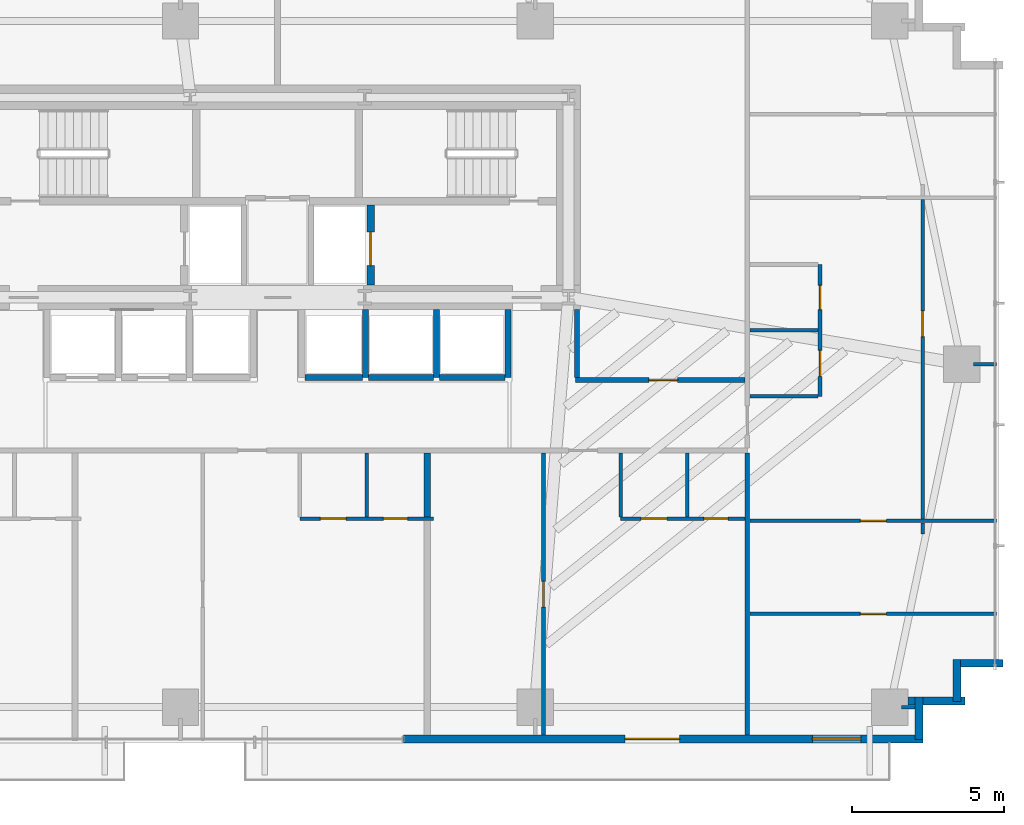
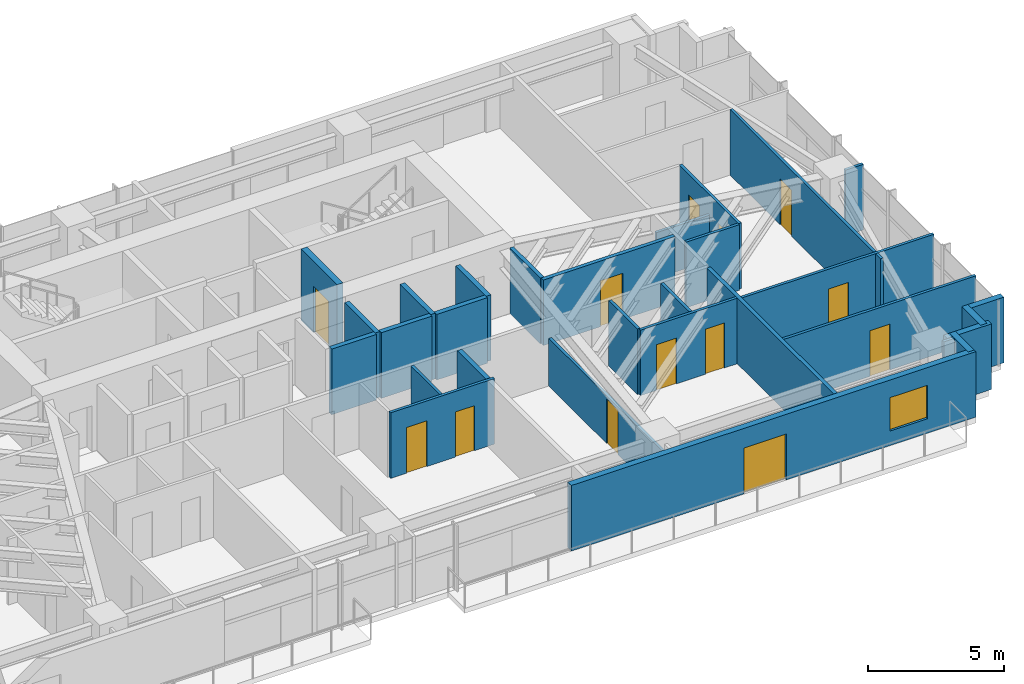
# One storey, part 21 of 25: 31 walls, 13 doors, 1 window, 14 openings.
"""IFC4 building model written with IfcOpenShell, lengths in metres."""

from ifc_helpers import new_model, si_unit, direction, frame, frame_2d, origin, place, context, subcontext, project, spatial, rectangle, extrude, source, transform, mapped, material, layer, layer_set, type_object, type_shapes, element, fill, save


model = new_model("IFC4")

# Units and contexts
model_context = context("Model", 3, precision=1e-05, world=origin(), true_north=direction((0.0, 1.0)))
body_context = subcontext(model_context, "Body", "Model", "MODEL_VIEW")
ifc_project = project(units=[si_unit("LENGTHUNIT", "METRE"), si_unit("AREAUNIT", "SQUARE_METRE"), si_unit("VOLUMEUNIT", "CUBIC_METRE"), si_unit("PLANEANGLEUNIT", "RADIAN"), si_unit("MASSUNIT", "GRAM", prefix="KILO")], contexts=[model_context])

# Site, building, storey
site_placement = place(None, origin())
site = spatial("IfcSite", under=ifc_project, at=site_placement, CompositionType="ELEMENT")
building_placement = place(site_placement, origin())
building = spatial("IfcBuilding", under=site, at=building_placement, Name="Astriad Promenade Condominiums", CompositionType="ELEMENT")
storey_placement = place(building_placement, frame((0.0, 0.0, 51.800048828125)))
storey = spatial("IfcBuildingStorey", under=building, at=storey_placement, Name="L14", CompositionType="ELEMENT", Elevation=51.800048828125)

# Wall, opening, door
ifc_material_1 = material(Name="Concrete C50/60", Category="concrete")
ifc_layer_1 = layer(ifc_material_1, 0.25)
ifc_layer_set_1 = layer_set([ifc_layer_1], Name="Concrete C50/60")
wall_type_1 = type_object("IfcWallType", Name="WALL-CORE-INT-250", PredefinedType="SOLIDWALL", material=ifc_layer_set_1)
wall_1_placement = place(storey_placement, frame((39.074951171875, 17.802001953125, 0.0), z_axis=(0.0, 0.0, 1.0), x_axis=(0.0, 1.0, 0.0)))
wall_1 = element("IfcWall", 1, at=wall_1_placement, inside=storey, type_object=wall_type_1, Name="CW-FFL2-E-L14", PredefinedType="SOLIDWALL", context=body_context, shape_type="SweptSolid", body=[
    extrude(rectangle(XDim=2.64599609375, YDim=0.25, at=frame_2d((1.322998046875, 0.0))), origin(), (0.0, 0.0, 1.0), 3.199951171875),
])
opening_1_placement = place(wall_1_placement, frame((0.64794921875, 0.0, 0.0)))
opening_1 = element("IfcOpeningElement", 2, at=opening_1_placement, cuts=wall_1, Name="Opening LD-FFL-1122", PredefinedType="OPENING", context=body_context, shape_type="SweptSolid", body=[
    extrude(rectangle(XDim=1.10009765625, YDim=2.080078125, at=frame_2d((0.550048828125, 1.0400390625))), frame((0.0, 0.135009765625, 0.0), z_axis=(0.0, -1.0, 0.0), x_axis=(1.0, 0.0, 0.0)), (0.0, 0.0, 1.0), 0.27001953125),
])
ifc_material_2 = material(Name="Brushed Stainless Steel Fire Elevator Landing Door", Category="steel")
door_type_1 = type_object("IfcDoorType", Name="LD-FFL-1122", OperationType="NOTDEFINED", PredefinedType="DOOR", material=ifc_material_2)
shared_shape_1 = source(origin(), body_context, "Body", "SweptSolid", [
    extrude(rectangle(XDim=1.10009765625, YDim=2.080078125, at=frame_2d((0.550048828125, 1.0400390625))), frame((0.0, 0.02490234375, 0.0), z_axis=(0.0, -1.0, 0.0), x_axis=(1.0, 0.0, 0.0)), (0.0, 0.0, 1.0), 0.050048828125),
])
type_shapes(door_type_1, [shared_shape_1])
door_1_placement = place(opening_1_placement, origin())
door_1 = element("IfcDoor", 3, at=door_1_placement, inside=storey, type_object=door_type_1, Name="Elevator Landing Door FFL-2 (L14)", OperationType="SLIDING_TO_RIGHT", OverallHeight=2.080078125, OverallWidth=1.10009765625, PredefinedType="DOOR", context=body_context, shape_type="MappedRepresentation", body=[
    mapped(shared_shape_1, transform((0.0, 0.0, 0.0), scale=1.0)),
])
fill(opening_1, door_1)

# Wall
ifc_material_3 = material(Name="Fire-Rated Gypsum Partition")
ifc_layer_2 = layer(ifc_material_3, 0.159912109375)
ifc_layer_set_2 = layer_set([ifc_layer_2], Name="Fire-Rated Gypsum Partition")
wall_type_2 = type_object("IfcWallType", Name="WALL-CORR-160", PredefinedType="PARTITIONING", material=ifc_layer_set_2)
wall_2_placement = place(storey_placement, frame((51.5, 2.9619140625, 0.0), z_axis=(0.0, 0.0, 1.0), x_axis=(0.0, 1.0, 0.0)))
element("IfcWall", 4, at=wall_2_placement, inside=storey, type_object=wall_type_2, Name="PT-COR-E-L14", PredefinedType="PARTITIONING", context=body_context, shape_type="SweptSolid", body=[
    extrude(rectangle(XDim=9.30615234375, YDim=0.159912109375, at=frame_2d((4.653076171875, 0.0))), origin(), (0.0, 0.0, 1.0), 2.93994140625),
])

# Wall, opening, door
wall_3_placement = place(storey_placement, frame((45.840087890625, 14.679931640625, 0.0), z_axis=(0.0, 0.0, 1.0), x_axis=(1.0, 0.0, 0.0)))
wall_3 = element("IfcWall", 5, at=wall_3_placement, inside=storey, type_object=wall_type_2, Name="PT-FLK-NE-L14", PredefinedType="PARTITIONING", context=body_context, shape_type="SweptSolid", body=[
    extrude(rectangle(XDim=5.577880859375, YDim=0.159912109375, at=frame_2d((2.7890625, 0.0))), origin(), (0.0, 0.0, 1.0), 2.93994140625),
])
opening_2_placement = place(wall_3_placement, frame((2.4150390625, 0.0, 0.0)))
opening_2 = element("IfcOpeningElement", 6, at=opening_2_placement, cuts=wall_3, Name="Opening FD60-APT-095", PredefinedType="OPENING", context=body_context, shape_type="SweptSolid", body=[
    extrude(rectangle(XDim=0.949951171875, YDim=2.06005859375, at=frame_2d((0.47509765625, 1.030029296875))), frame((0.0, 0.08984375, 0.0), z_axis=(0.0, -1.0, 0.0), x_axis=(1.0, 0.0, 0.0)), (0.0, 0.0, 1.0), 0.179931640625),
])
ifc_material_4 = material(Name="Solid-Core Acoustic Timber Residence Entry Door", Category="wood")
door_type_2 = type_object("IfcDoorType", Name="FD60-APT-095", OperationType="NOTDEFINED", PredefinedType="DOOR", material=ifc_material_4)
shared_shape_2 = source(origin(), body_context, "Body", "SweptSolid", [
    extrude(rectangle(XDim=0.949951171875, YDim=2.06005859375, at=frame_2d((0.47509765625, 1.030029296875))), frame((0.0, 0.02490234375, 0.0), z_axis=(0.0, -1.0, 0.0), x_axis=(1.0, 0.0, 0.0)), (0.0, 0.0, 1.0), 0.050048828125),
])
type_shapes(door_type_2, [shared_shape_2])
door_2_placement = place(opening_2_placement, origin())
door_2 = element("IfcDoor", 7, at=door_2_placement, inside=storey, type_object=door_type_2, Name="D-NEA-L14", OperationType="SINGLE_SWING_RIGHT", OverallHeight=2.06005859375, OverallWidth=0.949951171875, PredefinedType="DOOR", context=body_context, shape_type="MappedRepresentation", body=[
    mapped(shared_shape_2, transform((0.0, 0.0, 0.0), scale=1.0)),
])
fill(opening_2, door_2)

# Walls
wall_4_placement = place(storey_placement, frame((45.8798828125, 14.761962890625, 0.0), z_axis=(0.0, 0.0, 1.0), x_axis=(0.0, 1.0, 0.0)))
element("IfcWall", 8, at=wall_4_placement, inside=storey, type_object=wall_type_2, Name="PT-ESPUR-E-L14", PredefinedType="PARTITIONING", context=body_context, shape_type="SweptSolid", body=[
    extrude(rectangle(XDim=2.236083984375, YDim=0.159912109375, at=frame_2d((1.1181640625, 0.0))), origin(), (0.0, 0.0, 1.0), 2.93994140625),
])
ifc_material_5 = material(Name="Acoustic Double-Stud Gypsum Partition")
ifc_layer_3 = layer(ifc_material_5, 0.199951171875)
ifc_layer_set_3 = layer_set([ifc_layer_3], Name="Acoustic Double-Stud Gypsum Partition")
wall_type_3 = type_object("IfcWallType", Name="WALL-DEMISING-200", PredefinedType="PARTITIONING", material=ifc_layer_set_3)
wall_5_placement = place(storey_placement, frame((40.93994140625, 10.162109375, 0.0), z_axis=(0.0, 0.0, 1.0), x_axis=(0.0, 1.0, 0.0)))
element("IfcWall", 9, at=wall_5_placement, inside=storey, type_object=wall_type_3, Name="PT-DEM-S2-L14-S2", PredefinedType="PARTITIONING", context=body_context, shape_type="SweptSolid", body=[
    extrude(rectangle(XDim=2.10595703125, YDim=0.199951171875, at=frame_2d((1.052978515625, 0.0))), origin(), (0.0, 0.0, 1.0), 2.93994140625),
])
ifc_material_6 = material(Name="Precast concrete C50/60", Category="concrete")
ifc_layer_4 = layer(ifc_material_6, 0.260009765625)
ifc_layer_set_4 = layer_set([ifc_layer_4], Name="Precast concrete C50/60")
wall_type_4 = type_object("IfcWallType", Name="WALL-EXT-TWR-260", PredefinedType="STANDARD", material=ifc_layer_set_4)
for number, where, z_axis, x_axis, name in (
    (10, (59.929931640625, 5.330078125, 0.0), (0.0, 0.0, 1.0), (-1.0, 0.0, 0.0), "W-SER-L14-14"),
    (11, (58.419921875, 5.4599609375, 0.0), (0.0, 0.0, 1.0), (0.0, -1.0, 0.0), "W-SER-L14-15"),
):
    element("IfcWall", number, at=place(storey_placement, frame(where, z_axis=z_axis, x_axis=x_axis)), inside=storey, type_object=wall_type_4, Name=name, PredefinedType="STANDARD", context=body_context, shape_type="SweptSolid", body=[
        extrude(rectangle(XDim=1.39501953125, YDim=0.260009765625, at=frame_2d((0.697509765625, 0.0))), origin(), (0.0, 0.0, 1.0), 2.93994140625),
    ])
wall_6_placement = place(storey_placement, frame((58.679931640625, 4.080078125, 0.0), z_axis=(0.0, 0.0, 1.0), x_axis=(-1.0, 0.0, 0.0)))
element("IfcWall", 12, at=wall_6_placement, inside=storey, type_object=wall_type_4, Name="W-SER-L14-16", PredefinedType="STANDARD", context=body_context, shape_type="SweptSolid", body=[
    extrude(rectangle(XDim=1.8779296875, YDim=0.260009765625, at=frame_2d((0.93896484375, 0.0))), origin(), (0.0, 0.0, 1.0), 2.93994140625),
])
wall_7_placement = place(storey_placement, frame((57.169921875, 4.2099609375, 0.0), z_axis=(0.0, 0.0, 1.0), x_axis=(0.0, -1.0, 0.0)))
element("IfcWall", 13, at=wall_7_placement, inside=storey, type_object=wall_type_4, Name="W-SER-L14-17", PredefinedType="STANDARD", context=body_context, shape_type="SweptSolid", body=[
    extrude(rectangle(XDim=1.39501953125, YDim=0.260009765625, at=frame_2d((0.697509765625, 0.0))), origin(), (0.0, 0.0, 1.0), 2.93994140625),
])

# Wall, openings, door, window
wall_8_placement = place(storey_placement, frame((57.300048828125, 2.830078125, 0.0), z_axis=(0.0, 0.0, 1.0), x_axis=(-1.0, 0.0, 0.0)))
wall_8 = element("IfcWall", 14, at=wall_8_placement, inside=storey, type_object=wall_type_4, Name="W-EXT-L14-S1", PredefinedType="STANDARD", context=body_context, shape_type="SweptSolid", body=[
    extrude(rectangle(XDim=17.150146484375, YDim=0.260009765625, at=frame_2d((8.5751953125, 0.0))), origin(), (0.0, 0.0, 1.0), 2.93994140625),
])
opening_3_placement = place(wall_8_placement, frame((8.033935546875, 0.0, 0.0)))
opening_3 = element("IfcOpeningElement", 15, at=opening_3_placement, cuts=wall_8, Name="Opening BD-1822-SLD", PredefinedType="OPENING", context=body_context, shape_type="SweptSolid", body=[
    extrude(rectangle(XDim=1.800048828125, YDim=2.06005859375, at=frame_2d((0.89990234375, 1.030029296875))), frame((0.0, 0.139892578125, 0.0), z_axis=(0.0, -1.0, 0.0), x_axis=(1.0, 0.0, 0.0)), (0.0, 0.0, 1.0), 0.280029296875),
])
opening_4_placement = place(wall_8_placement, frame((2.050048828125, 0.0, 0.64990234375)))
opening_4 = element("IfcOpeningElement", 16, at=opening_4_placement, cuts=wall_8, Name="Opening WIN-TWR-1620", PredefinedType="OPENING", context=body_context, shape_type="SweptSolid", body=[
    extrude(rectangle(XDim=1.60009765625, YDim=1.5, at=frame_2d((0.800048828125, 0.75))), frame((0.0, 0.139892578125, 0.0), z_axis=(0.0, -1.0, 0.0), x_axis=(1.0, 0.0, 0.0)), (0.0, 0.0, 1.0), 0.280029296875),
])
ifc_material_7 = material(Name="Thermally Broken Aluminium Sliding Balcony Door", Category="aluminium")
door_type_3 = type_object("IfcDoorType", Name="BD-1822-SLD", OperationType="NOTDEFINED", PredefinedType="DOOR", material=ifc_material_7)
shared_shape_3 = source(origin(), body_context, "Body", "SweptSolid", [
    extrude(rectangle(XDim=1.800048828125, YDim=2.06005859375, at=frame_2d((0.89990234375, 1.030029296875))), frame((0.0, 0.02490234375, 0.0), z_axis=(0.0, -1.0, 0.0), x_axis=(1.0, 0.0, 0.0)), (0.0, 0.0, 1.0), 0.050048828125),
])
type_shapes(door_type_3, [shared_shape_3])
door_3_placement = place(opening_3_placement, origin())
door_3 = element("IfcDoor", 17, at=door_3_placement, inside=storey, type_object=door_type_3, Name="BD-L14-SE", OperationType="SLIDING_TO_RIGHT", OverallHeight=2.06005859375, OverallWidth=1.800048828125, PredefinedType="DOOR", context=body_context, shape_type="MappedRepresentation", body=[
    mapped(shared_shape_3, transform((0.0, 0.0, 0.0), scale=1.0)),
])
fill(opening_3, door_3)
ifc_material_8 = material(Name="Dark Tinted Triple-Glazed Aluminium Window", Category="aluminium")
window_type = type_object("IfcWindowType", Name="WIN-TWR-1620", PartitioningType="SINGLE_PANEL", PredefinedType="WINDOW", material=ifc_material_8)
shared_shape_4 = source(origin(), body_context, "Body", "SweptSolid", [
    extrude(rectangle(XDim=1.60009765625, YDim=1.5, at=frame_2d((0.800048828125, 0.75))), frame((0.0, 0.030029296875, 0.0), z_axis=(0.0, -1.0, 0.0), x_axis=(1.0, 0.0, 0.0)), (0.0, 0.0, 1.0), 0.06005859375),
])
type_shapes(window_type, [shared_shape_4])
window_placement = place(opening_4_placement, origin())
window = element("IfcWindow", 18, at=window_placement, inside=storey, type_object=window_type, Name="WIN-L14-SE", OverallHeight=1.5, OverallWidth=1.60009765625, PartitioningType="SINGLE_PANEL", PredefinedType="WINDOW", context=body_context, shape_type="MappedRepresentation", body=[
    mapped(shared_shape_4, transform((0.0, 0.0, 0.0), scale=1.0)),
])
fill(opening_4, window)

# Wall, openings, doors
ifc_material_9 = material(Name="Acoustic Metal-Stud Gypsum Partition")
ifc_layer_5 = layer(ifc_material_9, 0.1201171875)
ifc_layer_set_5 = layer_set([ifc_layer_5], Name="Acoustic Metal-Stud Gypsum Partition")
wall_type_5 = type_object("IfcWallType", Name="WALL-PART-120", PredefinedType="PARTITIONING", material=ifc_layer_set_5)
wall_9_placement = place(storey_placement, frame((36.739990234375, 10.10009765625, 0.0), z_axis=(0.0, 0.0, 1.0), x_axis=(1.0, 0.0, 0.0)))
wall_9 = element("IfcWall", 19, at=wall_9_placement, inside=storey, type_object=wall_type_5, Name="PT-L14-S2-PS", PredefinedType="PARTITIONING", context=body_context, shape_type="SweptSolid", body=[
    extrude(rectangle(XDim=4.39990234375, YDim=0.1201171875, at=frame_2d((2.199951171875, 0.0))), origin(), (0.0, 0.0, 1.0), 2.93994140625),
])
opening_5_placement = place(wall_9_placement, frame((0.675048828125, 0.0, 0.0)))
opening_5 = element("IfcOpeningElement", 20, at=opening_5_placement, cuts=wall_9, Name="Opening D-INT-085", PredefinedType="OPENING", context=body_context, shape_type="SweptSolid", body=[
    extrude(rectangle(XDim=0.85009765625, YDim=2.050048828125, at=frame_2d((0.425048828125, 1.02490234375))), frame((0.0, 0.070068359375, 0.0), z_axis=(0.0, -1.0, 0.0), x_axis=(1.0, 0.0, 0.0)), (0.0, 0.0, 1.0), 0.14013671875),
])
opening_6_placement = place(wall_9_placement, frame((2.75, 0.0, 0.0)))
opening_6 = element("IfcOpeningElement", 21, at=opening_6_placement, cuts=wall_9, Name="Opening D-WET-080", PredefinedType="OPENING", context=body_context, shape_type="SweptSolid", body=[
    extrude(rectangle(XDim=0.800048828125, YDim=2.02001953125, at=frame_2d((0.39990234375, 1.010009765625))), frame((0.0, 0.070068359375, 0.0), z_axis=(0.0, -1.0, 0.0), x_axis=(1.0, 0.0, 0.0)), (0.0, 0.0, 1.0), 0.14013671875),
])
ifc_material_10 = material(Name="Moisture-Resistant Timber Bathroom Door", Category="wood")
door_type_4 = type_object("IfcDoorType", Name="D-WET-080", OperationType="NOTDEFINED", PredefinedType="DOOR", material=ifc_material_10)
shared_shape_5 = source(origin(), body_context, "Body", "SweptSolid", [
    extrude(rectangle(XDim=0.800048828125, YDim=2.02001953125, at=frame_2d((0.39990234375, 1.010009765625))), frame((0.0, 0.02490234375, 0.0), z_axis=(0.0, -1.0, 0.0), x_axis=(1.0, 0.0, 0.0)), (0.0, 0.0, 1.0), 0.050048828125),
])
type_shapes(door_type_4, [shared_shape_5])
door_4_placement = place(opening_6_placement, origin())
door_4 = element("IfcDoor", 22, at=door_4_placement, inside=storey, type_object=door_type_4, Name="D-BTH-L14-S2", OperationType="SINGLE_SWING_RIGHT", OverallHeight=2.02001953125, OverallWidth=0.800048828125, PredefinedType="DOOR", context=body_context, shape_type="MappedRepresentation", body=[
    mapped(shared_shape_5, transform((0.0, 0.0, 0.0), scale=1.0)),
])
fill(opening_6, door_4)
ifc_material_11 = material(Name="Painted Solid-Core Timber Room Door", Category="wood")
door_type_5 = type_object("IfcDoorType", Name="D-INT-085", OperationType="NOTDEFINED", PredefinedType="DOOR", material=ifc_material_11)
shared_shape_6 = source(origin(), body_context, "Body", "SweptSolid", [
    extrude(rectangle(XDim=0.85009765625, YDim=2.050048828125, at=frame_2d((0.425048828125, 1.02490234375))), frame((0.0, 0.02490234375, 0.0), z_axis=(0.0, -1.0, 0.0), x_axis=(1.0, 0.0, 0.0)), (0.0, 0.0, 1.0), 0.050048828125),
])
type_shapes(door_type_5, [shared_shape_6])
door_5_placement = place(opening_5_placement, origin())
door_5 = element("IfcDoor", 23, at=door_5_placement, inside=storey, type_object=door_type_5, Name="D-KIT-L14-S2", OperationType="SINGLE_SWING_LEFT", OverallHeight=2.050048828125, OverallWidth=0.85009765625, PredefinedType="DOOR", context=body_context, shape_type="MappedRepresentation", body=[
    mapped(shared_shape_6, transform((0.0, 0.0, 0.0), scale=1.0)),
])
fill(opening_5, door_5)

# Wall
wall_10_placement = place(storey_placement, frame((38.93994140625, 10.162109375, 0.0), z_axis=(0.0, 0.0, 1.0), x_axis=(0.0, 1.0, 0.0)))
element("IfcWall", 24, at=wall_10_placement, inside=storey, type_object=wall_type_5, Name="PT-L14-S2-PB", PredefinedType="PARTITIONING", context=body_context, shape_type="SweptSolid", body=[
    extrude(rectangle(XDim=2.10595703125, YDim=0.1201171875, at=frame_2d((1.052978515625, 0.0))), origin(), (0.0, 0.0, 1.0), 2.93994140625),
])

# Wall, openings, doors
wall_11_placement = place(storey_placement, frame((47.320068359375, 10.10009765625, 0.0), z_axis=(0.0, 0.0, 1.0), x_axis=(1.0, 0.0, 0.0)))
wall_11 = element("IfcWall", 25, at=wall_11_placement, inside=storey, type_object=wall_type_5, Name="PT-L14-S3-PS", PredefinedType="PARTITIONING", context=body_context, shape_type="SweptSolid", body=[
    extrude(rectangle(XDim=4.097900390625, YDim=0.1201171875, at=frame_2d((2.048828125, 0.0))), origin(), (0.0, 0.0, 1.0), 2.93994140625),
])
opening_7_placement = place(wall_11_placement, frame((0.675048828125, 0.0, 0.0)))
opening_7 = element("IfcOpeningElement", 26, at=opening_7_placement, cuts=wall_11, Name="Opening D-INT-085", PredefinedType="OPENING", context=body_context, shape_type="SweptSolid", body=[
    extrude(rectangle(XDim=0.85009765625, YDim=2.050048828125, at=frame_2d((0.425048828125, 1.02490234375))), frame((0.0, 0.070068359375, 0.0), z_axis=(0.0, -1.0, 0.0), x_axis=(1.0, 0.0, 0.0)), (0.0, 0.0, 1.0), 0.14013671875),
])
opening_8_placement = place(wall_11_placement, frame((2.75, 0.0, 0.0)))
opening_8 = element("IfcOpeningElement", 27, at=opening_8_placement, cuts=wall_11, Name="Opening D-WET-080", PredefinedType="OPENING", context=body_context, shape_type="SweptSolid", body=[
    extrude(rectangle(XDim=0.800048828125, YDim=2.02001953125, at=frame_2d((0.39990234375, 1.010009765625))), frame((0.0, 0.070068359375, 0.0), z_axis=(0.0, -1.0, 0.0), x_axis=(1.0, 0.0, 0.0)), (0.0, 0.0, 1.0), 0.14013671875),
])
door_6_placement = place(opening_8_placement, origin())
door_6 = element("IfcDoor", 28, at=door_6_placement, inside=storey, type_object=door_type_4, Name="D-BTH-L14-S3", OperationType="SINGLE_SWING_RIGHT", OverallHeight=2.02001953125, OverallWidth=0.800048828125, PredefinedType="DOOR", context=body_context, shape_type="MappedRepresentation", body=[
    mapped(shared_shape_5, transform((0.0, 0.0, 0.0), scale=1.0)),
])
fill(opening_8, door_6)
door_7_placement = place(opening_7_placement, origin())
door_7 = element("IfcDoor", 29, at=door_7_placement, inside=storey, type_object=door_type_5, Name="D-KIT-L14-S3", OperationType="SINGLE_SWING_LEFT", OverallHeight=2.050048828125, OverallWidth=0.85009765625, PredefinedType="DOOR", context=body_context, shape_type="MappedRepresentation", body=[
    mapped(shared_shape_6, transform((0.0, 0.0, 0.0), scale=1.0)),
])
fill(opening_7, door_7)

# Walls
for number, where, z_axis, x_axis, name in (
    (30, (47.320068359375, 10.162109375, 0.0), (0.0, 0.0, 1.0), (0.0, 1.0, 0.0), "PT-L14-S3-PK"),
    (31, (49.52001953125, 10.162109375, 0.0), (0.0, 0.0, 1.0), (0.0, 1.0, 0.0), "PT-L14-S3-PB"),
):
    element("IfcWall", number, at=place(storey_placement, frame(where, z_axis=z_axis, x_axis=x_axis)), inside=storey, type_object=wall_type_5, Name=name, PredefinedType="PARTITIONING", context=body_context, shape_type="SweptSolid", body=[
        extrude(rectangle(XDim=2.10595703125, YDim=0.1201171875, at=frame_2d((1.052978515625, 0.0))), origin(), (0.0, 0.0, 1.0), 2.93994140625),
    ])

# Wall, opening, door
wall_12_placement = place(storey_placement, frame((44.777099609375, 2.9619140625, 0.0), z_axis=(0.0, 0.0, 1.0), x_axis=(0.0, 1.0, 0.0)))
wall_12 = element("IfcWall", 32, at=wall_12_placement, inside=storey, type_object=wall_type_5, Name="PT-L14-S3-CAP1", PredefinedType="PARTITIONING", context=body_context, shape_type="SweptSolid", body=[
    extrude(rectangle(XDim=9.30615234375, YDim=0.1201171875, at=frame_2d((4.653076171875, 0.0))), origin(), (0.0, 0.0, 1.0), 2.135986328125),
])
opening_9_placement = place(wall_12_placement, frame((4.218017578125, 0.0, 0.0)))
opening_9 = element("IfcOpeningElement", 33, at=opening_9_placement, cuts=wall_12, Name="Opening D-LOW-085", PredefinedType="OPENING", context=body_context, shape_type="SweptSolid", body=[
    extrude(rectangle(XDim=0.85009765625, YDim=2.010009765625, at=frame_2d((0.425048828125, 1.0048828125))), frame((0.0, 0.070068359375, 0.0), z_axis=(0.0, -1.0, 0.0), x_axis=(1.0, 0.0, 0.0)), (0.0, 0.0, 1.0), 0.14013671875),
])
ifc_material_12 = material(Name="Painted Timber Under-Girder Room Door", Category="wood")
door_type_6 = type_object("IfcDoorType", Name="D-LOW-085", OperationType="NOTDEFINED", PredefinedType="DOOR", material=ifc_material_12)
shared_shape_7 = source(origin(), body_context, "Body", "SweptSolid", [
    extrude(rectangle(XDim=0.85009765625, YDim=2.010009765625, at=frame_2d((0.425048828125, 1.0048828125))), frame((0.0, 0.02490234375, 0.0), z_axis=(0.0, -1.0, 0.0), x_axis=(1.0, 0.0, 0.0)), (0.0, 0.0, 1.0), 0.050048828125),
])
type_shapes(door_type_6, [shared_shape_7])
door_8_placement = place(opening_9_placement, origin())
door_8 = element("IfcDoor", 34, at=door_8_placement, inside=storey, type_object=door_type_6, Name="D-CAP1-L14-S3", OperationType="SINGLE_SWING_LEFT", OverallHeight=2.010009765625, OverallWidth=0.85009765625, PredefinedType="DOOR", context=body_context, shape_type="MappedRepresentation", body=[
    mapped(shared_shape_7, transform((0.0, 0.0, 0.0), scale=1.0)),
])
fill(opening_9, door_8)

# Wall, openings, doors
wall_13_placement = place(storey_placement, frame((53.89990234375, 14.135986328125, 0.0), z_axis=(0.0, 0.0, 1.0), x_axis=(0.0, 1.0, 0.0)))
wall_13 = element("IfcWall", 35, at=wall_13_placement, inside=storey, type_object=wall_type_5, Name="PT-L14-E1-PV", PredefinedType="PARTITIONING", context=body_context, shape_type="SweptSolid", body=[
    extrude(rectangle(XDim=4.35009765625, YDim=0.1201171875, at=frame_2d((2.175048828125, 0.0))), origin(), (0.0, 0.0, 1.0), 2.93994140625),
])
opening_10_placement = place(wall_13_placement, frame((0.662109375, 0.0, 0.0)))
opening_10 = element("IfcOpeningElement", 36, at=opening_10_placement, cuts=wall_13, Name="Opening D-INT-085", PredefinedType="OPENING", context=body_context, shape_type="SweptSolid", body=[
    extrude(rectangle(XDim=0.85009765625, YDim=2.050048828125, at=frame_2d((0.425048828125, 1.02490234375))), frame((0.0, 0.070068359375, 0.0), z_axis=(0.0, -1.0, 0.0), x_axis=(1.0, 0.0, 0.0)), (0.0, 0.0, 1.0), 0.14013671875),
])
opening_11_placement = place(wall_13_placement, frame((2.862060546875, 0.0, 0.0)))
opening_11 = element("IfcOpeningElement", 37, at=opening_11_placement, cuts=wall_13, Name="Opening D-WET-080", PredefinedType="OPENING", context=body_context, shape_type="SweptSolid", body=[
    extrude(rectangle(XDim=0.800048828125, YDim=2.02001953125, at=frame_2d((0.39990234375, 1.010009765625))), frame((0.0, 0.070068359375, 0.0), z_axis=(0.0, -1.0, 0.0), x_axis=(1.0, 0.0, 0.0)), (0.0, 0.0, 1.0), 0.14013671875),
])
door_9_placement = place(opening_11_placement, origin())
door_9 = element("IfcDoor", 38, at=door_9_placement, inside=storey, type_object=door_type_4, Name="D-BTH-L14-E1", OperationType="SINGLE_SWING_LEFT", OverallHeight=2.02001953125, OverallWidth=0.800048828125, PredefinedType="DOOR", context=body_context, shape_type="MappedRepresentation", body=[
    mapped(shared_shape_5, transform((0.0, 0.0, 0.0), scale=1.0)),
])
fill(opening_11, door_9)
door_10_placement = place(opening_10_placement, origin())
door_10 = element("IfcDoor", 39, at=door_10_placement, inside=storey, type_object=door_type_5, Name="D-KIT-L14-E1", OperationType="SINGLE_SWING_RIGHT", OverallHeight=2.050048828125, OverallWidth=0.85009765625, PredefinedType="DOOR", context=body_context, shape_type="MappedRepresentation", body=[
    mapped(shared_shape_6, transform((0.0, 0.0, 0.0), scale=1.0)),
])
fill(opening_10, door_10)

# Walls
wall_14_placement = place(storey_placement, frame((51.58203125, 16.31103515625, 0.0), z_axis=(0.0, 0.0, 1.0), x_axis=(1.0, 0.0, 0.0)))
element("IfcWall", 40, at=wall_14_placement, inside=storey, type_object=wall_type_5, Name="PT-L14-E1-PM", PredefinedType="PARTITIONING", context=body_context, shape_type="SweptSolid", body=[
    extrude(rectangle(XDim=2.255859375, YDim=0.1201171875, at=frame_2d((1.1279296875, 0.0))), origin(), (0.0, 0.0, 1.0), 2.044921875),
])
wall_15_placement = place(storey_placement, frame((51.58203125, 14.135986328125, 0.0), z_axis=(0.0, 0.0, 1.0), x_axis=(1.0, 0.0, 0.0)))
element("IfcWall", 41, at=wall_15_placement, inside=storey, type_object=wall_type_5, Name="PT-L14-E1-PS", PredefinedType="PARTITIONING", context=body_context, shape_type="SweptSolid", body=[
    extrude(rectangle(XDim=2.255859375, YDim=0.1201171875, at=frame_2d((1.1279296875, 0.0))), origin(), (0.0, 0.0, 1.0), 2.93994140625),
])

# Wall, opening, door
wall_16_placement = place(storey_placement, frame((51.58203125, 6.9599609375, 0.0), z_axis=(0.0, 0.0, 1.0), x_axis=(1.0, 0.0, 0.0)))
wall_16 = element("IfcWall", 42, at=wall_16_placement, inside=storey, type_object=wall_type_5, Name="PT-L14-E1-WDS1", PredefinedType="PARTITIONING", context=body_context, shape_type="SweptSolid", body=[
    extrude(rectangle(XDim=8.137939453125, YDim=0.1201171875, at=frame_2d((4.06884765625, 0.0))), origin(), (0.0, 0.0, 1.0), 2.93994140625),
])
opening_12_placement = place(wall_16_placement, frame((3.653076171875, 0.0, 0.0)))
opening_12 = element("IfcOpeningElement", 43, at=opening_12_placement, cuts=wall_16, Name="Opening D-INT-085", PredefinedType="OPENING", context=body_context, shape_type="SweptSolid", body=[
    extrude(rectangle(XDim=0.85009765625, YDim=2.050048828125, at=frame_2d((0.425048828125, 1.02490234375))), frame((0.0, 0.070068359375, 0.0), z_axis=(0.0, -1.0, 0.0), x_axis=(1.0, 0.0, 0.0)), (0.0, 0.0, 1.0), 0.14013671875),
])
door_11_placement = place(opening_12_placement, origin())
door_11 = element("IfcDoor", 44, at=door_11_placement, inside=storey, type_object=door_type_5, Name="D-WDS1-L14-E1", OperationType="SINGLE_SWING_RIGHT", OverallHeight=2.050048828125, OverallWidth=0.85009765625, PredefinedType="DOOR", context=body_context, shape_type="MappedRepresentation", body=[
    mapped(shared_shape_6, transform((0.0, 0.0, 0.0), scale=1.0)),
])
fill(opening_12, door_11)

wall_17_placement = place(storey_placement, frame((51.58203125, 10.02587890625, 0.0), z_axis=(0.0, 0.0, 1.0), x_axis=(1.0, 0.0, 0.0)))
wall_17 = element("IfcWall", 45, at=wall_17_placement, inside=storey, type_object=wall_type_5, Name="PT-L14-E1-WDS3", PredefinedType="PARTITIONING", context=body_context, shape_type="SweptSolid", body=[
    extrude(rectangle(XDim=8.137939453125, YDim=0.1201171875, at=frame_2d((4.06884765625, 0.0))), origin(), (0.0, 0.0, 1.0), 2.93994140625),
])
opening_13_placement = place(wall_17_placement, frame((3.653076171875, 0.0, 0.0)))
opening_13 = element("IfcOpeningElement", 46, at=opening_13_placement, cuts=wall_17, Name="Opening D-INT-085", PredefinedType="OPENING", context=body_context, shape_type="SweptSolid", body=[
    extrude(rectangle(XDim=0.85009765625, YDim=2.050048828125, at=frame_2d((0.425048828125, 1.02490234375))), frame((0.0, 0.070068359375, 0.0), z_axis=(0.0, -1.0, 0.0), x_axis=(1.0, 0.0, 0.0)), (0.0, 0.0, 1.0), 0.14013671875),
])
door_12_placement = place(opening_13_placement, origin())
door_12 = element("IfcDoor", 47, at=door_12_placement, inside=storey, type_object=door_type_5, Name="D-WDS3-L14-E1", OperationType="SINGLE_SWING_RIGHT", OverallHeight=2.050048828125, OverallWidth=0.85009765625, PredefinedType="DOOR", context=body_context, shape_type="MappedRepresentation", body=[
    mapped(shared_shape_6, transform((0.0, 0.0, 0.0), scale=1.0)),
])
fill(opening_13, door_12)

# Wall
wall_18_placement = place(storey_placement, frame((57.287109375, 9.5859375, 0.0), z_axis=(0.0, 0.0, 1.0), x_axis=(0.0, 1.0, 0.0)))
element("IfcWall", 48, at=wall_18_placement, inside=storey, type_object=wall_type_5, Name="PT-L14-E1-WDV5", PredefinedType="PARTITIONING", context=body_context, shape_type="SweptSolid", body=[
    extrude(rectangle(XDim=0.378173828125, YDim=0.1201171875, at=frame_2d((0.18896484375, 0.0))), origin(), (0.0, 0.0, 1.0), 2.93994140625),
])

# Wall, opening, door
wall_19_placement = place(storey_placement, frame((57.287109375, 10.087890625, 0.0), z_axis=(0.0, 0.0, 1.0), x_axis=(0.0, 1.0, 0.0)))
wall_19 = element("IfcWall", 49, at=wall_19_placement, inside=storey, type_object=wall_type_5, Name="PT-L14-E1-WDV5-S2", PredefinedType="PARTITIONING", context=body_context, shape_type="SweptSolid", body=[
    extrude(rectangle(XDim=10.5380859375, YDim=0.1201171875, at=frame_2d((5.26904296875, 0.0))), origin(), (0.0, 0.0, 1.0), 2.93994140625),
])
opening_14_placement = place(wall_19_placement, frame((6.02001953125, 0.0, 0.0)))
opening_14 = element("IfcOpeningElement", 50, at=opening_14_placement, cuts=wall_19, Name="Opening D-INT-085", PredefinedType="OPENING", context=body_context, shape_type="SweptSolid", body=[
    extrude(rectangle(XDim=0.85009765625, YDim=2.050048828125, at=frame_2d((0.425048828125, 1.02490234375))), frame((0.0, 0.070068359375, 0.0), z_axis=(0.0, -1.0, 0.0), x_axis=(1.0, 0.0, 0.0)), (0.0, 0.0, 1.0), 0.14013671875),
])
door_13_placement = place(opening_14_placement, origin())
door_13 = element("IfcDoor", 51, at=door_13_placement, inside=storey, type_object=door_type_5, Name="D-WDV5-L14-E1", OperationType="SINGLE_SWING_RIGHT", OverallHeight=2.050048828125, OverallWidth=0.85009765625, PredefinedType="DOOR", context=body_context, shape_type="MappedRepresentation", body=[
    mapped(shared_shape_6, transform((0.0, 0.0, 0.0), scale=1.0)),
])
fill(opening_14, door_13)

# Walls
wall_20_placement = place(storey_placement, frame((56.580078125, 3.8798828125, 0.0), z_axis=(0.0, 0.0, 1.0), x_axis=(1.0, 0.0, 0.0)))
element("IfcWall", 52, at=wall_20_placement, inside=storey, type_object=wall_type_5, Name="PT-PIL-L14-PC05-12", PredefinedType="PARTITIONING", context=body_context, shape_type="SweptSolid", body=[
    extrude(rectangle(XDim=0.4580078125, YDim=0.1201171875, at=frame_2d((0.22900390625, 0.0))), origin(), (0.0, 0.0, 1.0), 2.93994140625),
])
wall_21_placement = place(storey_placement, frame((58.9599609375, 15.199951171875, 0.0), z_axis=(0.0, 0.0, 1.0), x_axis=(1.0, 0.0, 0.0)))
element("IfcWall", 53, at=wall_21_placement, inside=storey, type_object=wall_type_5, Name="PT-PIL-L14-PC12-19", PredefinedType="PARTITIONING", context=body_context, shape_type="SweptSolid", body=[
    extrude(rectangle(XDim=0.760009765625, YDim=0.1201171875, at=frame_2d((0.3798828125, 0.0))), origin(), (0.0, 0.0, 1.0), 2.93994140625),
])
ifc_material_13 = material(Name="Gypsum Shaftliner Assembly")
ifc_layer_6 = layer(ifc_material_13, 0.199951171875)
ifc_layer_set_6 = layer_set([ifc_layer_6], Name="Gypsum Shaftliner Assembly")
wall_type_6 = type_object("IfcWallType", Name="WALL-SHAFT-200", PredefinedType="PARTITIONING", material=ifc_layer_set_6)
wall_22_placement = place(storey_placement, frame((38.89990234375, 14.75, 0.0), z_axis=(0.0, 0.0, 1.0), x_axis=(0.0, 1.0, 0.0)))
element("IfcWall", 54, at=wall_22_placement, inside=storey, type_object=wall_type_6, Name="PL-MH-DIV-L14", PredefinedType="PARTITIONING", context=body_context, shape_type="SweptSolid", body=[
    extrude(rectangle(XDim=2.248046875, YDim=0.199951171875, at=frame_2d((1.1240234375, 0.0))), origin(), (0.0, 0.0, 1.0), 2.93994140625),
])
wall_23_placement = place(storey_placement, frame((36.902099609375, 14.75, 0.0), z_axis=(0.0, 0.0, 1.0), x_axis=(1.0, 0.0, 0.0)))
element("IfcWall", 55, at=wall_23_placement, inside=storey, type_object=wall_type_6, Name="PL-M2-F-L14", PredefinedType="PARTITIONING", context=body_context, shape_type="SweptSolid", body=[
    extrude(rectangle(XDim=1.89599609375, YDim=0.199951171875, at=frame_2d((0.947998046875, 0.0))), origin(), (0.0, 0.0, 1.0), 2.93994140625),
])
for number, where, z_axis, x_axis, name in (
    (56, (41.25, 14.75, 0.0), (0.0, 0.0, 1.0), (0.0, 1.0, 0.0), "PL-H-DIV-L14"),
    (57, (43.60009765625, 14.75, 0.0), (0.0, 0.0, 1.0), (0.0, 1.0, 0.0), "PL-E-OUT-L14"),
):
    element("IfcWall", number, at=place(storey_placement, frame(where, z_axis=z_axis, x_axis=x_axis)), inside=storey, type_object=wall_type_6, Name=name, PredefinedType="PARTITIONING", context=body_context, shape_type="SweptSolid", body=[
        extrude(rectangle(XDim=2.248046875, YDim=0.199951171875, at=frame_2d((1.1240234375, 0.0))), origin(), (0.0, 0.0, 1.0), 2.93994140625),
    ])
for number, where, z_axis, x_axis, name in (
    (58, (39.001953125, 14.75, 0.0), (0.0, 0.0, 1.0), (1.0, 0.0, 0.0), "PL-H-FRT-L14"),
    (59, (41.35205078125, 14.75, 0.0), (0.0, 0.0, 1.0), (1.0, 0.0, 0.0), "PL-H-FRT-L14-S2"),
):
    element("IfcWall", number, at=place(storey_placement, frame(where, z_axis=z_axis, x_axis=x_axis)), inside=storey, type_object=wall_type_6, Name=name, PredefinedType="PARTITIONING", context=body_context, shape_type="SweptSolid", body=[
        extrude(rectangle(XDim=2.14599609375, YDim=0.199951171875, at=frame_2d((1.072998046875, 0.0))), origin(), (0.0, 0.0, 1.0), 2.93994140625),
    ])

save(model, "model.ifc")
